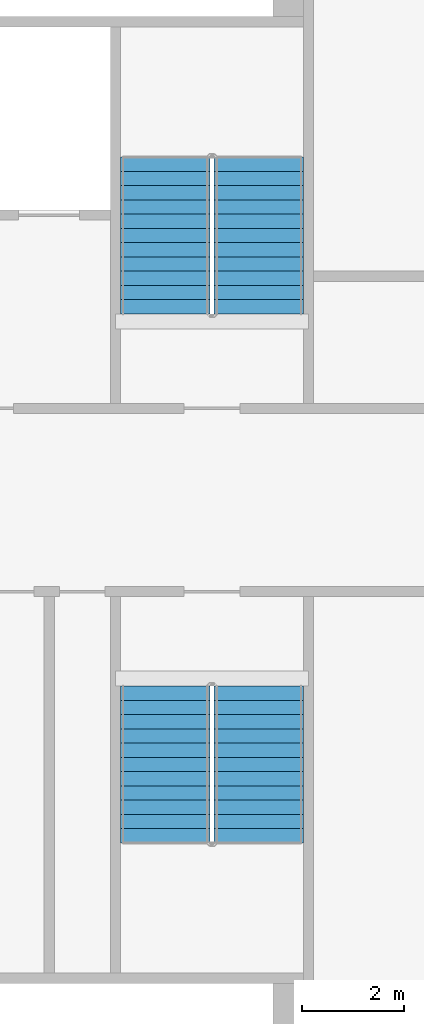
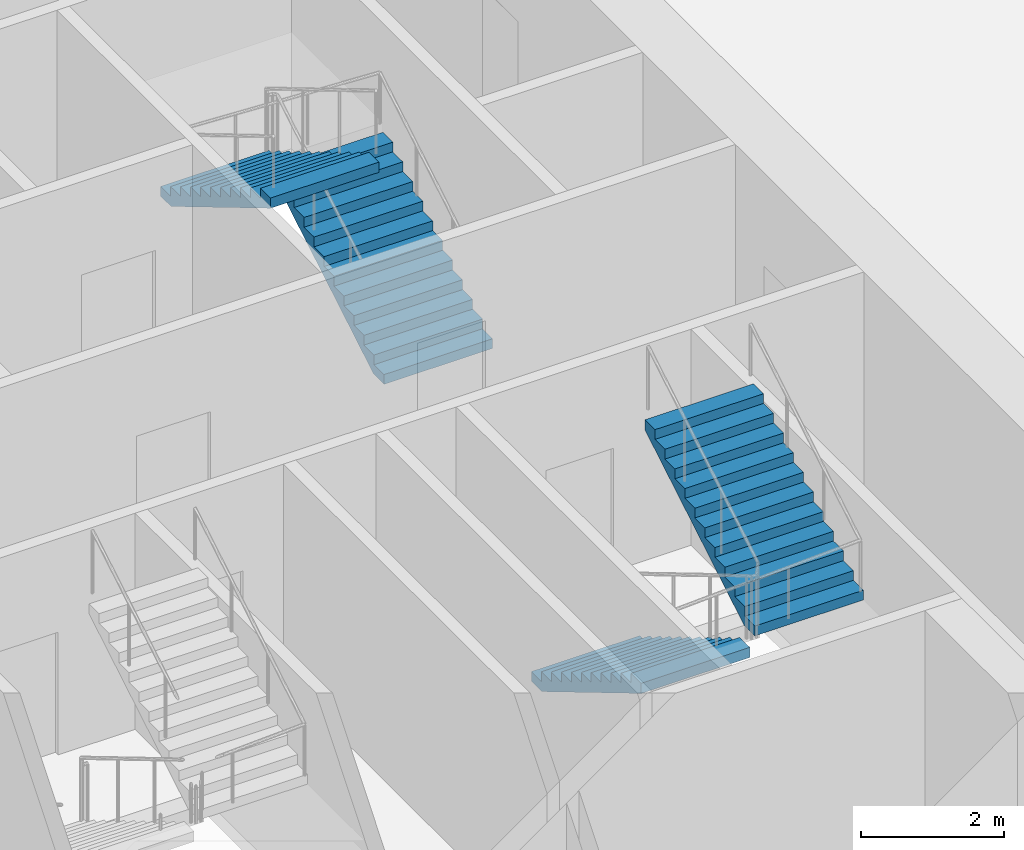
# One storey, part 14 of 15: 4 stair flights, 2 elements without a shape of their own.
"""IFC4 building model written with IfcOpenShell, lengths in metres."""

from ifc_helpers import new_model, si_unit, direction, frame, origin, place, context, subcontext, project, spatial, faceted_brep, material, type_object, element, aggregate, save


model = new_model("IFC4")

# Units and contexts
model_context = context("Model", 3, precision=1e-05, world=origin(), true_north=direction((0.0, 1.0)))
body_context = subcontext(model_context, "Body", "Model", "MODEL_VIEW")
ifc_project = project(units=[si_unit("LENGTHUNIT", "METRE"), si_unit("AREAUNIT", "SQUARE_METRE"), si_unit("VOLUMEUNIT", "CUBIC_METRE"), si_unit("PLANEANGLEUNIT", "RADIAN"), si_unit("MASSUNIT", "GRAM", prefix="KILO")], contexts=[model_context])

# Site, building, storey
site_placement = place(None, origin())
site = spatial("IfcSite", under=ifc_project, at=site_placement, CompositionType="ELEMENT")
building_placement = place(site_placement, origin())
building = spatial("IfcBuilding", under=site, at=building_placement, Name="Tarsis Ring Headquarters", CompositionType="ELEMENT")
storey_placement = place(building_placement, frame((0.0, 0.0, 30.0)))
storey = spatial("IfcBuildingStorey", under=building, at=storey_placement, Name="L05", CompositionType="ELEMENT", Elevation=30.0)

# Stair, stair flights
ifc_material_1 = material(Name="Core stair 1760")
stair_type = type_object("IfcStairType", Name="Core stair 1760", PredefinedType="HALF_TURN_STAIR", material=ifc_material_1)
stair_1_placement = place(storey_placement, origin())
stair_1 = element("IfcStair", 1, at=stair_1_placement, inside=storey, type_object=stair_type, Name="L05 Exit stair B", PredefinedType="HALF_TURN_STAIR")
ifc_material_2 = material(Name="Concrete C40/50", Category="concrete")
stair_flight_type = type_object("IfcStairFlightType", Name="Core stair flight 1760", PredefinedType="STRAIGHT", material=ifc_material_2)
stair_flight_1_placement = place(storey_placement, frame((5.419921875, 3.659912109375, 0.0), z_axis=(0.0, 0.0, 1.0), x_axis=(0.0, 1.0, 0.0)))
stair_flight_1 = element("IfcStairFlight", 2, at=stair_flight_1_placement, type_object=stair_flight_type, Name="Stair ST2 flight 1", NumberOfRisers=12, NumberOfTreads=11, PredefinedType="STRAIGHT", RiserHeight=0.166666667, TreadLength=0.28, context=body_context, shape_type="Brep", body=[
    faceted_brep([(0.0, 0.8798828125, 0.0), (0.0, 0.8798828125, 0.166748046875), (0.280029296875, 0.8798828125, 0.166748046875), (0.280029296875, 0.8798828125, 0.333251953125), (0.56005859375, 0.8798828125, 0.333251953125), (0.56005859375, 0.8798828125, 0.5), (0.840087890625, 0.8798828125, 0.5), (0.840087890625, 0.8798828125, 0.666748046875), (1.1201171875, 0.8798828125, 0.666748046875), (1.1201171875, 0.8798828125, 0.833251953125), (1.39990234375, 0.8798828125, 0.833251953125), (1.39990234375, 0.8798828125, 1.0), (1.679931640625, 0.8798828125, 1.0), (1.679931640625, 0.8798828125, 1.166748046875), (1.9599609375, 0.8798828125, 1.166748046875), (1.9599609375, 0.8798828125, 1.333251953125), (2.239990234375, 0.8798828125, 1.333251953125), (2.239990234375, 0.8798828125, 1.5), (2.52001953125, 0.8798828125, 1.5), (2.52001953125, 0.8798828125, 1.666748046875), (2.800048828125, 0.8798828125, 1.666748046875), (2.800048828125, 0.8798828125, 1.833251953125), (3.080078125, 0.8798828125, 1.833251953125), (3.080078125, 0.8798828125, 1.658935546875), (0.29296875, 0.8798828125, 0.0), (0.29296875, -0.8798828125, 0.0), (3.080078125, -0.8798828125, 1.658935546875), (3.080078125, -0.8798828125, 1.833251953125), (2.800048828125, -0.8798828125, 1.833251953125), (2.800048828125, -0.8798828125, 1.666748046875), (2.52001953125, -0.8798828125, 1.666748046875), (2.52001953125, -0.8798828125, 1.5), (2.239990234375, -0.8798828125, 1.5), (2.239990234375, -0.8798828125, 1.333251953125), (1.9599609375, -0.8798828125, 1.333251953125), (1.9599609375, -0.8798828125, 1.166748046875), (1.679931640625, -0.8798828125, 1.166748046875), (1.679931640625, -0.8798828125, 1.0), (1.39990234375, -0.8798828125, 1.0), (1.39990234375, -0.8798828125, 0.833251953125), (1.1201171875, -0.8798828125, 0.833251953125), (1.1201171875, -0.8798828125, 0.666748046875), (0.840087890625, -0.8798828125, 0.666748046875), (0.840087890625, -0.8798828125, 0.5), (0.56005859375, -0.8798828125, 0.5), (0.56005859375, -0.8798828125, 0.333251953125), (0.280029296875, -0.8798828125, 0.333251953125), (0.280029296875, -0.8798828125, 0.166748046875), (0.0, -0.8798828125, 0.166748046875), (0.0, -0.8798828125, 0.0), (0.0, -0.43994140625, 0.166748046875), (0.0, -0.43994140625, 0.0), (0.0, 0.0, 0.166748046875), (0.0, 0.0, 0.0), (0.0, 0.43994140625, 0.166748046875), (0.0, 0.43994140625, 0.0), (0.280029296875, -0.43994140625, 0.166748046875), (0.280029296875, 0.0, 0.166748046875), (0.280029296875, 0.43994140625, 0.166748046875), (0.280029296875, -0.43994140625, 0.333251953125), (0.280029296875, 0.0, 0.333251953125), (0.280029296875, 0.43994140625, 0.333251953125), (0.56005859375, -0.43994140625, 0.333251953125), (0.56005859375, 0.0, 0.333251953125), (0.56005859375, 0.43994140625, 0.333251953125), (0.56005859375, -0.43994140625, 0.5), (0.56005859375, 0.0, 0.5), (0.56005859375, 0.43994140625, 0.5), (0.840087890625, -0.43994140625, 0.5), (0.840087890625, 0.0, 0.5), (0.840087890625, 0.43994140625, 0.5), (0.840087890625, -0.43994140625, 0.666748046875), (0.840087890625, 0.0, 0.666748046875), (0.840087890625, 0.43994140625, 0.666748046875), (1.1201171875, -0.43994140625, 0.666748046875), (1.1201171875, 0.0, 0.666748046875), (1.1201171875, 0.43994140625, 0.666748046875), (1.1201171875, -0.43994140625, 0.833251953125), (1.1201171875, 0.0, 0.833251953125), (1.1201171875, 0.43994140625, 0.833251953125), (1.39990234375, -0.43994140625, 0.833251953125), (1.39990234375, 0.0, 0.833251953125), (1.39990234375, 0.43994140625, 0.833251953125), (1.39990234375, -0.43994140625, 1.0), (1.39990234375, 0.0, 1.0), (1.39990234375, 0.43994140625, 1.0), (1.679931640625, -0.43994140625, 1.0), (1.679931640625, 0.0, 1.0), (1.679931640625, 0.43994140625, 1.0), (1.679931640625, -0.43994140625, 1.166748046875), (1.679931640625, 0.0, 1.166748046875), (1.679931640625, 0.43994140625, 1.166748046875), (1.9599609375, -0.43994140625, 1.166748046875), (1.9599609375, 0.0, 1.166748046875), (1.9599609375, 0.43994140625, 1.166748046875), (1.9599609375, -0.43994140625, 1.333251953125), (1.9599609375, 0.0, 1.333251953125), (1.9599609375, 0.43994140625, 1.333251953125), (2.239990234375, -0.43994140625, 1.333251953125), (2.239990234375, 0.0, 1.333251953125), (2.239990234375, 0.43994140625, 1.333251953125), (2.239990234375, -0.43994140625, 1.5), (2.239990234375, 0.0, 1.5), (2.239990234375, 0.43994140625, 1.5), (2.52001953125, -0.43994140625, 1.5), (2.52001953125, 0.0, 1.5), (2.52001953125, 0.43994140625, 1.5), (2.52001953125, -0.43994140625, 1.666748046875), (2.52001953125, 0.0, 1.666748046875), (2.52001953125, 0.43994140625, 1.666748046875), (2.800048828125, -0.43994140625, 1.666748046875), (2.800048828125, 0.0, 1.666748046875), (2.800048828125, 0.43994140625, 1.666748046875), (2.800048828125, -0.43994140625, 1.833251953125), (2.800048828125, 0.0, 1.833251953125), (2.800048828125, 0.43994140625, 1.833251953125), (3.080078125, -0.43994140625, 1.833251953125), (3.080078125, 0.0, 1.833251953125), (3.080078125, 0.43994140625, 1.833251953125), (3.080078125, -0.43994140625, 1.658935546875), (3.080078125, 0.0, 1.658935546875), (3.080078125, 0.43994140625, 1.658935546875), (0.29296875, -0.43994140625, 0.0), (0.29296875, 0.0, 0.0), (0.29296875, 0.43994140625, 0.0)], [[[0, 1, 2, 3, 4, 5, 6, 7, 8, 9, 10, 11, 12, 13, 14, 15, 16, 17, 18, 19, 20, 21, 22, 23, 24]], [[25, 26, 27, 28, 29, 30, 31, 32, 33, 34, 35, 36, 37, 38, 39, 40, 41, 42, 43, 44, 45, 46, 47, 48, 49]], [[49, 48, 50, 51]], [[51, 50, 52, 53]], [[53, 52, 54, 55]], [[55, 54, 1, 0]], [[48, 47, 56, 50]], [[50, 56, 57, 52]], [[52, 57, 58, 54]], [[54, 58, 2, 1]], [[47, 46, 59, 56]], [[56, 59, 60, 57]], [[57, 60, 61, 58]], [[58, 61, 3, 2]], [[46, 45, 62, 59]], [[59, 62, 63, 60]], [[60, 63, 64, 61]], [[61, 64, 4, 3]], [[45, 44, 65, 62]], [[62, 65, 66, 63]], [[63, 66, 67, 64]], [[64, 67, 5, 4]], [[44, 43, 68, 65]], [[65, 68, 69, 66]], [[66, 69, 70, 67]], [[67, 70, 6, 5]], [[43, 42, 71, 68]], [[68, 71, 72, 69]], [[69, 72, 73, 70]], [[70, 73, 7, 6]], [[42, 41, 74, 71]], [[71, 74, 75, 72]], [[72, 75, 76, 73]], [[73, 76, 8, 7]], [[41, 40, 77, 74]], [[74, 77, 78, 75]], [[75, 78, 79, 76]], [[76, 79, 9, 8]], [[40, 39, 80, 77]], [[77, 80, 81, 78]], [[78, 81, 82, 79]], [[79, 82, 10, 9]], [[39, 38, 83, 80]], [[80, 83, 84, 81]], [[81, 84, 85, 82]], [[82, 85, 11, 10]], [[38, 37, 86, 83]], [[83, 86, 87, 84]], [[84, 87, 88, 85]], [[85, 88, 12, 11]], [[37, 36, 89, 86]], [[86, 89, 90, 87]], [[87, 90, 91, 88]], [[88, 91, 13, 12]], [[36, 35, 92, 89]], [[89, 92, 93, 90]], [[90, 93, 94, 91]], [[91, 94, 14, 13]], [[35, 34, 95, 92]], [[92, 95, 96, 93]], [[93, 96, 97, 94]], [[94, 97, 15, 14]], [[34, 33, 98, 95]], [[95, 98, 99, 96]], [[96, 99, 100, 97]], [[97, 100, 16, 15]], [[33, 32, 101, 98]], [[98, 101, 102, 99]], [[99, 102, 103, 100]], [[100, 103, 17, 16]], [[32, 31, 104, 101]], [[101, 104, 105, 102]], [[102, 105, 106, 103]], [[103, 106, 18, 17]], [[31, 30, 107, 104]], [[104, 107, 108, 105]], [[105, 108, 109, 106]], [[106, 109, 19, 18]], [[30, 29, 110, 107]], [[107, 110, 111, 108]], [[108, 111, 112, 109]], [[109, 112, 20, 19]], [[29, 28, 113, 110]], [[110, 113, 114, 111]], [[111, 114, 115, 112]], [[112, 115, 21, 20]], [[28, 27, 116, 113]], [[113, 116, 117, 114]], [[114, 117, 118, 115]], [[115, 118, 22, 21]], [[27, 26, 119, 116]], [[116, 119, 120, 117]], [[117, 120, 121, 118]], [[118, 121, 23, 22]], [[26, 25, 122, 119]], [[119, 122, 123, 120]], [[120, 123, 124, 121]], [[121, 124, 24, 23]], [[25, 49, 51, 122]], [[122, 51, 53, 123]], [[123, 53, 55, 124]], [[124, 55, 0, 24]]]),
])
stair_flight_2_placement = place(storey_placement, frame((3.580078125, 6.739990234375, 2.0), z_axis=(0.0, 0.0, 1.0), x_axis=(0.0, -1.0, 0.0)))
stair_flight_2 = element("IfcStairFlight", 3, at=stair_flight_2_placement, type_object=stair_flight_type, Name="Stair ST2 flight 2", NumberOfRisers=12, NumberOfTreads=11, PredefinedType="STRAIGHT", RiserHeight=0.166666667, TreadLength=0.28, context=body_context, shape_type="Brep", body=[
    faceted_brep([(0.0, 0.8798828125, 0.0), (0.0, 0.8798828125, 0.166748046875), (0.280029296875, 0.8798828125, 0.166748046875), (0.280029296875, 0.8798828125, 0.333251953125), (0.56005859375, 0.8798828125, 0.333251953125), (0.56005859375, 0.8798828125, 0.5), (0.840087890625, 0.8798828125, 0.5), (0.840087890625, 0.8798828125, 0.666748046875), (1.1201171875, 0.8798828125, 0.666748046875), (1.1201171875, 0.8798828125, 0.833251953125), (1.39990234375, 0.8798828125, 0.833251953125), (1.39990234375, 0.8798828125, 1.0), (1.679931640625, 0.8798828125, 1.0), (1.679931640625, 0.8798828125, 1.166748046875), (1.9599609375, 0.8798828125, 1.166748046875), (1.9599609375, 0.8798828125, 1.333251953125), (2.239990234375, 0.8798828125, 1.333251953125), (2.239990234375, 0.8798828125, 1.5), (2.52001953125, 0.8798828125, 1.5), (2.52001953125, 0.8798828125, 1.666748046875), (2.800048828125, 0.8798828125, 1.666748046875), (2.800048828125, 0.8798828125, 1.833251953125), (3.080078125, 0.8798828125, 1.833251953125), (3.080078125, 0.8798828125, 1.658935546875), (0.29296875, 0.8798828125, 0.0), (0.29296875, -0.8798828125, 0.0), (3.080078125, -0.8798828125, 1.658935546875), (3.080078125, -0.8798828125, 1.833251953125), (2.800048828125, -0.8798828125, 1.833251953125), (2.800048828125, -0.8798828125, 1.666748046875), (2.52001953125, -0.8798828125, 1.666748046875), (2.52001953125, -0.8798828125, 1.5), (2.239990234375, -0.8798828125, 1.5), (2.239990234375, -0.8798828125, 1.333251953125), (1.9599609375, -0.8798828125, 1.333251953125), (1.9599609375, -0.8798828125, 1.166748046875), (1.679931640625, -0.8798828125, 1.166748046875), (1.679931640625, -0.8798828125, 1.0), (1.39990234375, -0.8798828125, 1.0), (1.39990234375, -0.8798828125, 0.833251953125), (1.1201171875, -0.8798828125, 0.833251953125), (1.1201171875, -0.8798828125, 0.666748046875), (0.840087890625, -0.8798828125, 0.666748046875), (0.840087890625, -0.8798828125, 0.5), (0.56005859375, -0.8798828125, 0.5), (0.56005859375, -0.8798828125, 0.333251953125), (0.280029296875, -0.8798828125, 0.333251953125), (0.280029296875, -0.8798828125, 0.166748046875), (0.0, -0.8798828125, 0.166748046875), (0.0, -0.8798828125, 0.0), (0.0, -0.43994140625, 0.166748046875), (0.0, -0.43994140625, 0.0), (0.0, 0.0, 0.166748046875), (0.0, 0.0, 0.0), (0.0, 0.43994140625, 0.166748046875), (0.0, 0.43994140625, 0.0), (0.280029296875, -0.43994140625, 0.166748046875), (0.280029296875, 0.0, 0.166748046875), (0.280029296875, 0.43994140625, 0.166748046875), (0.280029296875, -0.43994140625, 0.333251953125), (0.280029296875, 0.0, 0.333251953125), (0.280029296875, 0.43994140625, 0.333251953125), (0.56005859375, -0.43994140625, 0.333251953125), (0.56005859375, 0.0, 0.333251953125), (0.56005859375, 0.43994140625, 0.333251953125), (0.56005859375, -0.43994140625, 0.5), (0.56005859375, 0.0, 0.5), (0.56005859375, 0.43994140625, 0.5), (0.840087890625, -0.43994140625, 0.5), (0.840087890625, 0.0, 0.5), (0.840087890625, 0.43994140625, 0.5), (0.840087890625, -0.43994140625, 0.666748046875), (0.840087890625, 0.0, 0.666748046875), (0.840087890625, 0.43994140625, 0.666748046875), (1.1201171875, -0.43994140625, 0.666748046875), (1.1201171875, 0.0, 0.666748046875), (1.1201171875, 0.43994140625, 0.666748046875), (1.1201171875, -0.43994140625, 0.833251953125), (1.1201171875, 0.0, 0.833251953125), (1.1201171875, 0.43994140625, 0.833251953125), (1.39990234375, -0.43994140625, 0.833251953125), (1.39990234375, 0.0, 0.833251953125), (1.39990234375, 0.43994140625, 0.833251953125), (1.39990234375, -0.43994140625, 1.0), (1.39990234375, 0.0, 1.0), (1.39990234375, 0.43994140625, 1.0), (1.679931640625, -0.43994140625, 1.0), (1.679931640625, 0.0, 1.0), (1.679931640625, 0.43994140625, 1.0), (1.679931640625, -0.43994140625, 1.166748046875), (1.679931640625, 0.0, 1.166748046875), (1.679931640625, 0.43994140625, 1.166748046875), (1.9599609375, -0.43994140625, 1.166748046875), (1.9599609375, 0.0, 1.166748046875), (1.9599609375, 0.43994140625, 1.166748046875), (1.9599609375, -0.43994140625, 1.333251953125), (1.9599609375, 0.0, 1.333251953125), (1.9599609375, 0.43994140625, 1.333251953125), (2.239990234375, -0.43994140625, 1.333251953125), (2.239990234375, 0.0, 1.333251953125), (2.239990234375, 0.43994140625, 1.333251953125), (2.239990234375, -0.43994140625, 1.5), (2.239990234375, 0.0, 1.5), (2.239990234375, 0.43994140625, 1.5), (2.52001953125, -0.43994140625, 1.5), (2.52001953125, 0.0, 1.5), (2.52001953125, 0.43994140625, 1.5), (2.52001953125, -0.43994140625, 1.666748046875), (2.52001953125, 0.0, 1.666748046875), (2.52001953125, 0.43994140625, 1.666748046875), (2.800048828125, -0.43994140625, 1.666748046875), (2.800048828125, 0.0, 1.666748046875), (2.800048828125, 0.43994140625, 1.666748046875), (2.800048828125, -0.43994140625, 1.833251953125), (2.800048828125, 0.0, 1.833251953125), (2.800048828125, 0.43994140625, 1.833251953125), (3.080078125, -0.43994140625, 1.833251953125), (3.080078125, 0.0, 1.833251953125), (3.080078125, 0.43994140625, 1.833251953125), (3.080078125, -0.43994140625, 1.658935546875), (3.080078125, 0.0, 1.658935546875), (3.080078125, 0.43994140625, 1.658935546875), (0.29296875, -0.43994140625, 0.0), (0.29296875, 0.0, 0.0), (0.29296875, 0.43994140625, 0.0)], [[[0, 1, 2, 3, 4, 5, 6, 7, 8, 9, 10, 11, 12, 13, 14, 15, 16, 17, 18, 19, 20, 21, 22, 23, 24]], [[25, 26, 27, 28, 29, 30, 31, 32, 33, 34, 35, 36, 37, 38, 39, 40, 41, 42, 43, 44, 45, 46, 47, 48, 49]], [[49, 48, 50, 51]], [[51, 50, 52, 53]], [[53, 52, 54, 55]], [[55, 54, 1, 0]], [[48, 47, 56, 50]], [[50, 56, 57, 52]], [[52, 57, 58, 54]], [[54, 58, 2, 1]], [[47, 46, 59, 56]], [[56, 59, 60, 57]], [[57, 60, 61, 58]], [[58, 61, 3, 2]], [[46, 45, 62, 59]], [[59, 62, 63, 60]], [[60, 63, 64, 61]], [[61, 64, 4, 3]], [[45, 44, 65, 62]], [[62, 65, 66, 63]], [[63, 66, 67, 64]], [[64, 67, 5, 4]], [[44, 43, 68, 65]], [[65, 68, 69, 66]], [[66, 69, 70, 67]], [[67, 70, 6, 5]], [[43, 42, 71, 68]], [[68, 71, 72, 69]], [[69, 72, 73, 70]], [[70, 73, 7, 6]], [[42, 41, 74, 71]], [[71, 74, 75, 72]], [[72, 75, 76, 73]], [[73, 76, 8, 7]], [[41, 40, 77, 74]], [[74, 77, 78, 75]], [[75, 78, 79, 76]], [[76, 79, 9, 8]], [[40, 39, 80, 77]], [[77, 80, 81, 78]], [[78, 81, 82, 79]], [[79, 82, 10, 9]], [[39, 38, 83, 80]], [[80, 83, 84, 81]], [[81, 84, 85, 82]], [[82, 85, 11, 10]], [[38, 37, 86, 83]], [[83, 86, 87, 84]], [[84, 87, 88, 85]], [[85, 88, 12, 11]], [[37, 36, 89, 86]], [[86, 89, 90, 87]], [[87, 90, 91, 88]], [[88, 91, 13, 12]], [[36, 35, 92, 89]], [[89, 92, 93, 90]], [[90, 93, 94, 91]], [[91, 94, 14, 13]], [[35, 34, 95, 92]], [[92, 95, 96, 93]], [[93, 96, 97, 94]], [[94, 97, 15, 14]], [[34, 33, 98, 95]], [[95, 98, 99, 96]], [[96, 99, 100, 97]], [[97, 100, 16, 15]], [[33, 32, 101, 98]], [[98, 101, 102, 99]], [[99, 102, 103, 100]], [[100, 103, 17, 16]], [[32, 31, 104, 101]], [[101, 104, 105, 102]], [[102, 105, 106, 103]], [[103, 106, 18, 17]], [[31, 30, 107, 104]], [[104, 107, 108, 105]], [[105, 108, 109, 106]], [[106, 109, 19, 18]], [[30, 29, 110, 107]], [[107, 110, 111, 108]], [[108, 111, 112, 109]], [[109, 112, 20, 19]], [[29, 28, 113, 110]], [[110, 113, 114, 111]], [[111, 114, 115, 112]], [[112, 115, 21, 20]], [[28, 27, 116, 113]], [[113, 116, 117, 114]], [[114, 117, 118, 115]], [[115, 118, 22, 21]], [[27, 26, 119, 116]], [[116, 119, 120, 117]], [[117, 120, 121, 118]], [[118, 121, 23, 22]], [[26, 25, 122, 119]], [[119, 122, 123, 120]], [[120, 123, 124, 121]], [[121, 124, 24, 23]], [[25, 49, 51, 122]], [[122, 51, 53, 123]], [[123, 53, 55, 124]], [[124, 55, 0, 24]]]),
])
aggregate(stair_1, [stair_flight_1, stair_flight_2])

stair_2_placement = place(storey_placement, origin())
stair_2 = element("IfcStair", 4, at=stair_2_placement, inside=storey, type_object=stair_type, Name="L05 Exit stair D", PredefinedType="HALF_TURN_STAIR")
stair_flight_3_placement = place(storey_placement, frame((3.580078125, -3.659912109375, 0.0), z_axis=(0.0, 0.0, 1.0), x_axis=(0.0, -1.0, 0.0)))
stair_flight_3 = element("IfcStairFlight", 5, at=stair_flight_3_placement, type_object=stair_flight_type, Name="Stair ST4 flight 1", NumberOfRisers=12, NumberOfTreads=11, PredefinedType="STRAIGHT", RiserHeight=0.166666667, TreadLength=0.28, context=body_context, shape_type="Brep", body=[
    faceted_brep([(0.0, 0.8798828125, 0.0), (0.0, 0.8798828125, 0.166748046875), (0.280029296875, 0.8798828125, 0.166748046875), (0.280029296875, 0.8798828125, 0.333251953125), (0.56005859375, 0.8798828125, 0.333251953125), (0.56005859375, 0.8798828125, 0.5), (0.840087890625, 0.8798828125, 0.5), (0.840087890625, 0.8798828125, 0.666748046875), (1.1201171875, 0.8798828125, 0.666748046875), (1.1201171875, 0.8798828125, 0.833251953125), (1.39990234375, 0.8798828125, 0.833251953125), (1.39990234375, 0.8798828125, 1.0), (1.679931640625, 0.8798828125, 1.0), (1.679931640625, 0.8798828125, 1.166748046875), (1.9599609375, 0.8798828125, 1.166748046875), (1.9599609375, 0.8798828125, 1.333251953125), (2.239990234375, 0.8798828125, 1.333251953125), (2.239990234375, 0.8798828125, 1.5), (2.52001953125, 0.8798828125, 1.5), (2.52001953125, 0.8798828125, 1.666748046875), (2.800048828125, 0.8798828125, 1.666748046875), (2.800048828125, 0.8798828125, 1.833251953125), (3.080078125, 0.8798828125, 1.833251953125), (3.080078125, 0.8798828125, 1.658935546875), (0.29296875, 0.8798828125, 0.0), (0.29296875, -0.8798828125, 0.0), (3.080078125, -0.8798828125, 1.658935546875), (3.080078125, -0.8798828125, 1.833251953125), (2.800048828125, -0.8798828125, 1.833251953125), (2.800048828125, -0.8798828125, 1.666748046875), (2.52001953125, -0.8798828125, 1.666748046875), (2.52001953125, -0.8798828125, 1.5), (2.239990234375, -0.8798828125, 1.5), (2.239990234375, -0.8798828125, 1.333251953125), (1.9599609375, -0.8798828125, 1.333251953125), (1.9599609375, -0.8798828125, 1.166748046875), (1.679931640625, -0.8798828125, 1.166748046875), (1.679931640625, -0.8798828125, 1.0), (1.39990234375, -0.8798828125, 1.0), (1.39990234375, -0.8798828125, 0.833251953125), (1.1201171875, -0.8798828125, 0.833251953125), (1.1201171875, -0.8798828125, 0.666748046875), (0.840087890625, -0.8798828125, 0.666748046875), (0.840087890625, -0.8798828125, 0.5), (0.56005859375, -0.8798828125, 0.5), (0.56005859375, -0.8798828125, 0.333251953125), (0.280029296875, -0.8798828125, 0.333251953125), (0.280029296875, -0.8798828125, 0.166748046875), (0.0, -0.8798828125, 0.166748046875), (0.0, -0.8798828125, 0.0), (0.0, -0.43994140625, 0.166748046875), (0.0, -0.43994140625, 0.0), (0.0, 0.0, 0.166748046875), (0.0, 0.0, 0.0), (0.0, 0.43994140625, 0.166748046875), (0.0, 0.43994140625, 0.0), (0.280029296875, -0.43994140625, 0.166748046875), (0.280029296875, 0.0, 0.166748046875), (0.280029296875, 0.43994140625, 0.166748046875), (0.280029296875, -0.43994140625, 0.333251953125), (0.280029296875, 0.0, 0.333251953125), (0.280029296875, 0.43994140625, 0.333251953125), (0.56005859375, -0.43994140625, 0.333251953125), (0.56005859375, 0.0, 0.333251953125), (0.56005859375, 0.43994140625, 0.333251953125), (0.56005859375, -0.43994140625, 0.5), (0.56005859375, 0.0, 0.5), (0.56005859375, 0.43994140625, 0.5), (0.840087890625, -0.43994140625, 0.5), (0.840087890625, 0.0, 0.5), (0.840087890625, 0.43994140625, 0.5), (0.840087890625, -0.43994140625, 0.666748046875), (0.840087890625, 0.0, 0.666748046875), (0.840087890625, 0.43994140625, 0.666748046875), (1.1201171875, -0.43994140625, 0.666748046875), (1.1201171875, 0.0, 0.666748046875), (1.1201171875, 0.43994140625, 0.666748046875), (1.1201171875, -0.43994140625, 0.833251953125), (1.1201171875, 0.0, 0.833251953125), (1.1201171875, 0.43994140625, 0.833251953125), (1.39990234375, -0.43994140625, 0.833251953125), (1.39990234375, 0.0, 0.833251953125), (1.39990234375, 0.43994140625, 0.833251953125), (1.39990234375, -0.43994140625, 1.0), (1.39990234375, 0.0, 1.0), (1.39990234375, 0.43994140625, 1.0), (1.679931640625, -0.43994140625, 1.0), (1.679931640625, 0.0, 1.0), (1.679931640625, 0.43994140625, 1.0), (1.679931640625, -0.43994140625, 1.166748046875), (1.679931640625, 0.0, 1.166748046875), (1.679931640625, 0.43994140625, 1.166748046875), (1.9599609375, -0.43994140625, 1.166748046875), (1.9599609375, 0.0, 1.166748046875), (1.9599609375, 0.43994140625, 1.166748046875), (1.9599609375, -0.43994140625, 1.333251953125), (1.9599609375, 0.0, 1.333251953125), (1.9599609375, 0.43994140625, 1.333251953125), (2.239990234375, -0.43994140625, 1.333251953125), (2.239990234375, 0.0, 1.333251953125), (2.239990234375, 0.43994140625, 1.333251953125), (2.239990234375, -0.43994140625, 1.5), (2.239990234375, 0.0, 1.5), (2.239990234375, 0.43994140625, 1.5), (2.52001953125, -0.43994140625, 1.5), (2.52001953125, 0.0, 1.5), (2.52001953125, 0.43994140625, 1.5), (2.52001953125, -0.43994140625, 1.666748046875), (2.52001953125, 0.0, 1.666748046875), (2.52001953125, 0.43994140625, 1.666748046875), (2.800048828125, -0.43994140625, 1.666748046875), (2.800048828125, 0.0, 1.666748046875), (2.800048828125, 0.43994140625, 1.666748046875), (2.800048828125, -0.43994140625, 1.833251953125), (2.800048828125, 0.0, 1.833251953125), (2.800048828125, 0.43994140625, 1.833251953125), (3.080078125, -0.43994140625, 1.833251953125), (3.080078125, 0.0, 1.833251953125), (3.080078125, 0.43994140625, 1.833251953125), (3.080078125, -0.43994140625, 1.658935546875), (3.080078125, 0.0, 1.658935546875), (3.080078125, 0.43994140625, 1.658935546875), (0.29296875, -0.43994140625, 0.0), (0.29296875, 0.0, 0.0), (0.29296875, 0.43994140625, 0.0)], [[[0, 1, 2, 3, 4, 5, 6, 7, 8, 9, 10, 11, 12, 13, 14, 15, 16, 17, 18, 19, 20, 21, 22, 23, 24]], [[25, 26, 27, 28, 29, 30, 31, 32, 33, 34, 35, 36, 37, 38, 39, 40, 41, 42, 43, 44, 45, 46, 47, 48, 49]], [[49, 48, 50, 51]], [[51, 50, 52, 53]], [[53, 52, 54, 55]], [[55, 54, 1, 0]], [[48, 47, 56, 50]], [[50, 56, 57, 52]], [[52, 57, 58, 54]], [[54, 58, 2, 1]], [[47, 46, 59, 56]], [[56, 59, 60, 57]], [[57, 60, 61, 58]], [[58, 61, 3, 2]], [[46, 45, 62, 59]], [[59, 62, 63, 60]], [[60, 63, 64, 61]], [[61, 64, 4, 3]], [[45, 44, 65, 62]], [[62, 65, 66, 63]], [[63, 66, 67, 64]], [[64, 67, 5, 4]], [[44, 43, 68, 65]], [[65, 68, 69, 66]], [[66, 69, 70, 67]], [[67, 70, 6, 5]], [[43, 42, 71, 68]], [[68, 71, 72, 69]], [[69, 72, 73, 70]], [[70, 73, 7, 6]], [[42, 41, 74, 71]], [[71, 74, 75, 72]], [[72, 75, 76, 73]], [[73, 76, 8, 7]], [[41, 40, 77, 74]], [[74, 77, 78, 75]], [[75, 78, 79, 76]], [[76, 79, 9, 8]], [[40, 39, 80, 77]], [[77, 80, 81, 78]], [[78, 81, 82, 79]], [[79, 82, 10, 9]], [[39, 38, 83, 80]], [[80, 83, 84, 81]], [[81, 84, 85, 82]], [[82, 85, 11, 10]], [[38, 37, 86, 83]], [[83, 86, 87, 84]], [[84, 87, 88, 85]], [[85, 88, 12, 11]], [[37, 36, 89, 86]], [[86, 89, 90, 87]], [[87, 90, 91, 88]], [[88, 91, 13, 12]], [[36, 35, 92, 89]], [[89, 92, 93, 90]], [[90, 93, 94, 91]], [[91, 94, 14, 13]], [[35, 34, 95, 92]], [[92, 95, 96, 93]], [[93, 96, 97, 94]], [[94, 97, 15, 14]], [[34, 33, 98, 95]], [[95, 98, 99, 96]], [[96, 99, 100, 97]], [[97, 100, 16, 15]], [[33, 32, 101, 98]], [[98, 101, 102, 99]], [[99, 102, 103, 100]], [[100, 103, 17, 16]], [[32, 31, 104, 101]], [[101, 104, 105, 102]], [[102, 105, 106, 103]], [[103, 106, 18, 17]], [[31, 30, 107, 104]], [[104, 107, 108, 105]], [[105, 108, 109, 106]], [[106, 109, 19, 18]], [[30, 29, 110, 107]], [[107, 110, 111, 108]], [[108, 111, 112, 109]], [[109, 112, 20, 19]], [[29, 28, 113, 110]], [[110, 113, 114, 111]], [[111, 114, 115, 112]], [[112, 115, 21, 20]], [[28, 27, 116, 113]], [[113, 116, 117, 114]], [[114, 117, 118, 115]], [[115, 118, 22, 21]], [[27, 26, 119, 116]], [[116, 119, 120, 117]], [[117, 120, 121, 118]], [[118, 121, 23, 22]], [[26, 25, 122, 119]], [[119, 122, 123, 120]], [[120, 123, 124, 121]], [[121, 124, 24, 23]], [[25, 49, 51, 122]], [[122, 51, 53, 123]], [[123, 53, 55, 124]], [[124, 55, 0, 24]]]),
])
stair_flight_4_placement = place(storey_placement, frame((5.419921875, -6.739990234375, 2.0), z_axis=(0.0, 0.0, 1.0), x_axis=(0.0, 1.0, 0.0)))
stair_flight_4 = element("IfcStairFlight", 6, at=stair_flight_4_placement, type_object=stair_flight_type, Name="Stair ST4 flight 2", NumberOfRisers=12, NumberOfTreads=11, PredefinedType="STRAIGHT", RiserHeight=0.166666667, TreadLength=0.28, context=body_context, shape_type="Brep", body=[
    faceted_brep([(0.0, 0.8798828125, 0.0), (0.0, 0.8798828125, 0.166748046875), (0.280029296875, 0.8798828125, 0.166748046875), (0.280029296875, 0.8798828125, 0.333251953125), (0.56005859375, 0.8798828125, 0.333251953125), (0.56005859375, 0.8798828125, 0.5), (0.840087890625, 0.8798828125, 0.5), (0.840087890625, 0.8798828125, 0.666748046875), (1.1201171875, 0.8798828125, 0.666748046875), (1.1201171875, 0.8798828125, 0.833251953125), (1.39990234375, 0.8798828125, 0.833251953125), (1.39990234375, 0.8798828125, 1.0), (1.679931640625, 0.8798828125, 1.0), (1.679931640625, 0.8798828125, 1.166748046875), (1.9599609375, 0.8798828125, 1.166748046875), (1.9599609375, 0.8798828125, 1.333251953125), (2.239990234375, 0.8798828125, 1.333251953125), (2.239990234375, 0.8798828125, 1.5), (2.52001953125, 0.8798828125, 1.5), (2.52001953125, 0.8798828125, 1.666748046875), (2.800048828125, 0.8798828125, 1.666748046875), (2.800048828125, 0.8798828125, 1.833251953125), (3.080078125, 0.8798828125, 1.833251953125), (3.080078125, 0.8798828125, 1.658935546875), (0.29296875, 0.8798828125, 0.0), (0.29296875, -0.8798828125, 0.0), (3.080078125, -0.8798828125, 1.658935546875), (3.080078125, -0.8798828125, 1.833251953125), (2.800048828125, -0.8798828125, 1.833251953125), (2.800048828125, -0.8798828125, 1.666748046875), (2.52001953125, -0.8798828125, 1.666748046875), (2.52001953125, -0.8798828125, 1.5), (2.239990234375, -0.8798828125, 1.5), (2.239990234375, -0.8798828125, 1.333251953125), (1.9599609375, -0.8798828125, 1.333251953125), (1.9599609375, -0.8798828125, 1.166748046875), (1.679931640625, -0.8798828125, 1.166748046875), (1.679931640625, -0.8798828125, 1.0), (1.39990234375, -0.8798828125, 1.0), (1.39990234375, -0.8798828125, 0.833251953125), (1.1201171875, -0.8798828125, 0.833251953125), (1.1201171875, -0.8798828125, 0.666748046875), (0.840087890625, -0.8798828125, 0.666748046875), (0.840087890625, -0.8798828125, 0.5), (0.56005859375, -0.8798828125, 0.5), (0.56005859375, -0.8798828125, 0.333251953125), (0.280029296875, -0.8798828125, 0.333251953125), (0.280029296875, -0.8798828125, 0.166748046875), (0.0, -0.8798828125, 0.166748046875), (0.0, -0.8798828125, 0.0), (0.0, -0.43994140625, 0.166748046875), (0.0, -0.43994140625, 0.0), (0.0, 0.0, 0.166748046875), (0.0, 0.0, 0.0), (0.0, 0.43994140625, 0.166748046875), (0.0, 0.43994140625, 0.0), (0.280029296875, -0.43994140625, 0.166748046875), (0.280029296875, 0.0, 0.166748046875), (0.280029296875, 0.43994140625, 0.166748046875), (0.280029296875, -0.43994140625, 0.333251953125), (0.280029296875, 0.0, 0.333251953125), (0.280029296875, 0.43994140625, 0.333251953125), (0.56005859375, -0.43994140625, 0.333251953125), (0.56005859375, 0.0, 0.333251953125), (0.56005859375, 0.43994140625, 0.333251953125), (0.56005859375, -0.43994140625, 0.5), (0.56005859375, 0.0, 0.5), (0.56005859375, 0.43994140625, 0.5), (0.840087890625, -0.43994140625, 0.5), (0.840087890625, 0.0, 0.5), (0.840087890625, 0.43994140625, 0.5), (0.840087890625, -0.43994140625, 0.666748046875), (0.840087890625, 0.0, 0.666748046875), (0.840087890625, 0.43994140625, 0.666748046875), (1.1201171875, -0.43994140625, 0.666748046875), (1.1201171875, 0.0, 0.666748046875), (1.1201171875, 0.43994140625, 0.666748046875), (1.1201171875, -0.43994140625, 0.833251953125), (1.1201171875, 0.0, 0.833251953125), (1.1201171875, 0.43994140625, 0.833251953125), (1.39990234375, -0.43994140625, 0.833251953125), (1.39990234375, 0.0, 0.833251953125), (1.39990234375, 0.43994140625, 0.833251953125), (1.39990234375, -0.43994140625, 1.0), (1.39990234375, 0.0, 1.0), (1.39990234375, 0.43994140625, 1.0), (1.679931640625, -0.43994140625, 1.0), (1.679931640625, 0.0, 1.0), (1.679931640625, 0.43994140625, 1.0), (1.679931640625, -0.43994140625, 1.166748046875), (1.679931640625, 0.0, 1.166748046875), (1.679931640625, 0.43994140625, 1.166748046875), (1.9599609375, -0.43994140625, 1.166748046875), (1.9599609375, 0.0, 1.166748046875), (1.9599609375, 0.43994140625, 1.166748046875), (1.9599609375, -0.43994140625, 1.333251953125), (1.9599609375, 0.0, 1.333251953125), (1.9599609375, 0.43994140625, 1.333251953125), (2.239990234375, -0.43994140625, 1.333251953125), (2.239990234375, 0.0, 1.333251953125), (2.239990234375, 0.43994140625, 1.333251953125), (2.239990234375, -0.43994140625, 1.5), (2.239990234375, 0.0, 1.5), (2.239990234375, 0.43994140625, 1.5), (2.52001953125, -0.43994140625, 1.5), (2.52001953125, 0.0, 1.5), (2.52001953125, 0.43994140625, 1.5), (2.52001953125, -0.43994140625, 1.666748046875), (2.52001953125, 0.0, 1.666748046875), (2.52001953125, 0.43994140625, 1.666748046875), (2.800048828125, -0.43994140625, 1.666748046875), (2.800048828125, 0.0, 1.666748046875), (2.800048828125, 0.43994140625, 1.666748046875), (2.800048828125, -0.43994140625, 1.833251953125), (2.800048828125, 0.0, 1.833251953125), (2.800048828125, 0.43994140625, 1.833251953125), (3.080078125, -0.43994140625, 1.833251953125), (3.080078125, 0.0, 1.833251953125), (3.080078125, 0.43994140625, 1.833251953125), (3.080078125, -0.43994140625, 1.658935546875), (3.080078125, 0.0, 1.658935546875), (3.080078125, 0.43994140625, 1.658935546875), (0.29296875, -0.43994140625, 0.0), (0.29296875, 0.0, 0.0), (0.29296875, 0.43994140625, 0.0)], [[[0, 1, 2, 3, 4, 5, 6, 7, 8, 9, 10, 11, 12, 13, 14, 15, 16, 17, 18, 19, 20, 21, 22, 23, 24]], [[25, 26, 27, 28, 29, 30, 31, 32, 33, 34, 35, 36, 37, 38, 39, 40, 41, 42, 43, 44, 45, 46, 47, 48, 49]], [[49, 48, 50, 51]], [[51, 50, 52, 53]], [[53, 52, 54, 55]], [[55, 54, 1, 0]], [[48, 47, 56, 50]], [[50, 56, 57, 52]], [[52, 57, 58, 54]], [[54, 58, 2, 1]], [[47, 46, 59, 56]], [[56, 59, 60, 57]], [[57, 60, 61, 58]], [[58, 61, 3, 2]], [[46, 45, 62, 59]], [[59, 62, 63, 60]], [[60, 63, 64, 61]], [[61, 64, 4, 3]], [[45, 44, 65, 62]], [[62, 65, 66, 63]], [[63, 66, 67, 64]], [[64, 67, 5, 4]], [[44, 43, 68, 65]], [[65, 68, 69, 66]], [[66, 69, 70, 67]], [[67, 70, 6, 5]], [[43, 42, 71, 68]], [[68, 71, 72, 69]], [[69, 72, 73, 70]], [[70, 73, 7, 6]], [[42, 41, 74, 71]], [[71, 74, 75, 72]], [[72, 75, 76, 73]], [[73, 76, 8, 7]], [[41, 40, 77, 74]], [[74, 77, 78, 75]], [[75, 78, 79, 76]], [[76, 79, 9, 8]], [[40, 39, 80, 77]], [[77, 80, 81, 78]], [[78, 81, 82, 79]], [[79, 82, 10, 9]], [[39, 38, 83, 80]], [[80, 83, 84, 81]], [[81, 84, 85, 82]], [[82, 85, 11, 10]], [[38, 37, 86, 83]], [[83, 86, 87, 84]], [[84, 87, 88, 85]], [[85, 88, 12, 11]], [[37, 36, 89, 86]], [[86, 89, 90, 87]], [[87, 90, 91, 88]], [[88, 91, 13, 12]], [[36, 35, 92, 89]], [[89, 92, 93, 90]], [[90, 93, 94, 91]], [[91, 94, 14, 13]], [[35, 34, 95, 92]], [[92, 95, 96, 93]], [[93, 96, 97, 94]], [[94, 97, 15, 14]], [[34, 33, 98, 95]], [[95, 98, 99, 96]], [[96, 99, 100, 97]], [[97, 100, 16, 15]], [[33, 32, 101, 98]], [[98, 101, 102, 99]], [[99, 102, 103, 100]], [[100, 103, 17, 16]], [[32, 31, 104, 101]], [[101, 104, 105, 102]], [[102, 105, 106, 103]], [[103, 106, 18, 17]], [[31, 30, 107, 104]], [[104, 107, 108, 105]], [[105, 108, 109, 106]], [[106, 109, 19, 18]], [[30, 29, 110, 107]], [[107, 110, 111, 108]], [[108, 111, 112, 109]], [[109, 112, 20, 19]], [[29, 28, 113, 110]], [[110, 113, 114, 111]], [[111, 114, 115, 112]], [[112, 115, 21, 20]], [[28, 27, 116, 113]], [[113, 116, 117, 114]], [[114, 117, 118, 115]], [[115, 118, 22, 21]], [[27, 26, 119, 116]], [[116, 119, 120, 117]], [[117, 120, 121, 118]], [[118, 121, 23, 22]], [[26, 25, 122, 119]], [[119, 122, 123, 120]], [[120, 123, 124, 121]], [[121, 124, 24, 23]], [[25, 49, 51, 122]], [[122, 51, 53, 123]], [[123, 53, 55, 124]], [[124, 55, 0, 24]]]),
])
aggregate(stair_2, [stair_flight_3, stair_flight_4])

save(model, "model.ifc")
